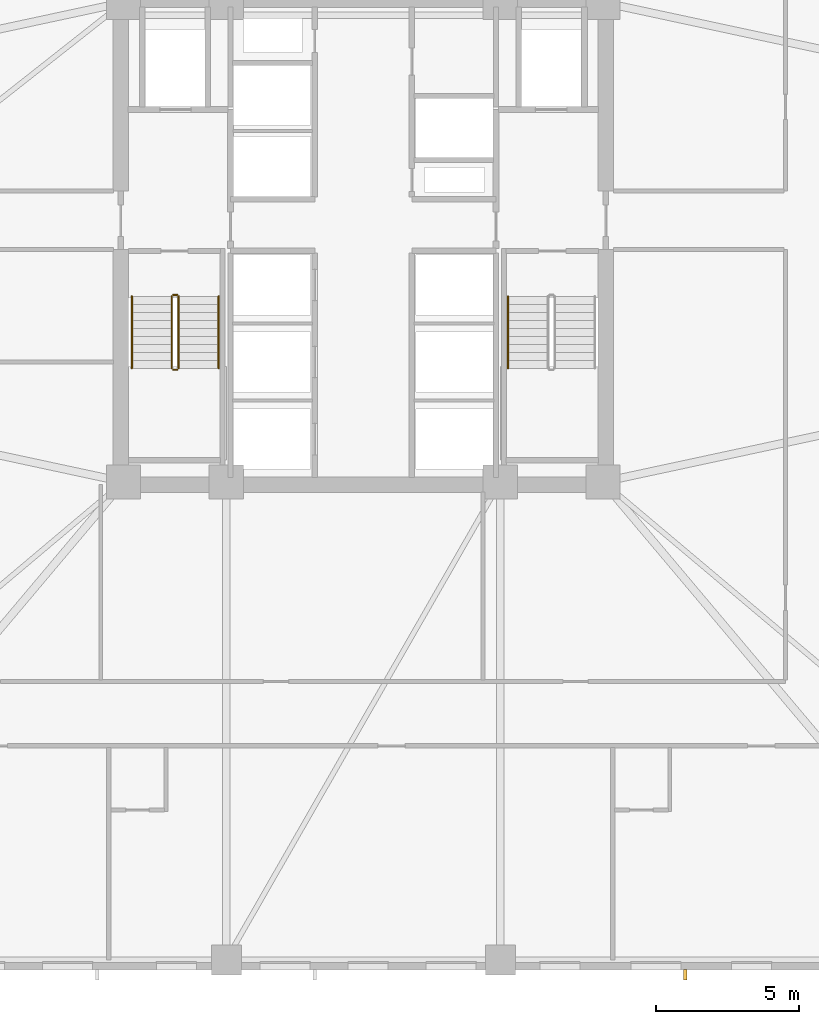
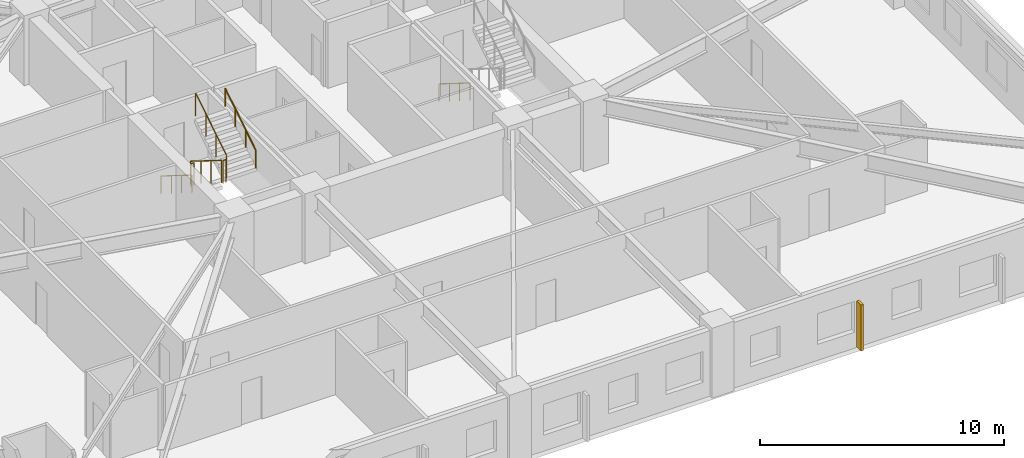
# One storey, part 8 of 11: 7 railings, 1 shading device.
"""IFC4 building model written with IfcOpenShell, lengths in metres."""

from ifc_helpers import new_model, si_unit, direction, frame, origin, origin_2d, place, context, subcontext, project, spatial, rectangle, circle, extrude, material, type_object, element, save


model = new_model("IFC4")

# Units and contexts
model_context = context("Model", 3, precision=1e-05, world=origin(), true_north=direction((0.0, 1.0)))
body_context = subcontext(model_context, "Body", "Model", "MODEL_VIEW")
ifc_project = project(units=[si_unit("LENGTHUNIT", "METRE"), si_unit("AREAUNIT", "SQUARE_METRE"), si_unit("VOLUMEUNIT", "CUBIC_METRE"), si_unit("PLANEANGLEUNIT", "RADIAN"), si_unit("MASSUNIT", "GRAM", prefix="KILO")], contexts=[model_context])

# Site, building, storey
site_placement = place(None, origin())
site = spatial("IfcSite", under=ifc_project, at=site_placement, CompositionType="ELEMENT")
building_placement = place(site_placement, origin())
building = spatial("IfcBuilding", under=site, at=building_placement, Name="Cairnveth Concourse Tower", CompositionType="ELEMENT")
storey_placement = place(building_placement, frame((0.0, 0.0, 72.5)))
storey = spatial("IfcBuildingStorey", under=building, at=storey_placement, Name="L19", CompositionType="ELEMENT", Elevation=72.5)

# Shading device
ifc_material_1 = material(Name="Architectural Bronze Anodised Aluminium 6063-T6", Category="aluminium")
shading_device_type = type_object("IfcShadingDeviceType", Name="GOTHIC BRONZE VERTICAL LANCET FIN", PredefinedType="USERDEFINED", material=ifc_material_1)
shading_device_placement = place(storey_placement, frame((63.284423828125, 13.324951171875, 0.02978515625), z_axis=(0.0, 0.0, 1.0), x_axis=(1.0, 0.0, 0.0)))
element("IfcShadingDevice", 1, at=shading_device_placement, inside=storey, type_object=shading_device_type, Name="Gothic Bronze Vertical Fin L19-3-3", ObjectType="VERTICAL FIN", PredefinedType="USERDEFINED", context=body_context, shape_type="SweptSolid", body=[
    extrude(rectangle(XDim=0.1201171875, YDim=0.360107421875, at=origin_2d()), origin(), (0.0, 0.0, 1.0), 2.303955078125),
])

# Railings
ifc_material_2 = material(Name="Steel Grade 350", Category="steel")
railing_type_1 = type_object("IfcRailingType", Name="STAIR GUARDRAIL 1150", PredefinedType="GUARDRAIL", material=ifc_material_2)
railing_1_placement = place(storey_placement, frame((45.2900390625, 37.10009765625, 0.175048828125)))
element("IfcRailing", 2, at=railing_1_placement, inside=storey, type_object=railing_type_1, Name="L19 ST-1 stair guard 1", PredefinedType="GUARDRAIL", context=body_context, shape_type="SweptSolid", body=[
    extrude(circle(Radius=0.02392578125, at=origin_2d()), frame((0.0, 0.0, 1.1259765625), z_axis=(0.0, -0.848007534815, 0.529984170421), x_axis=(1.0, 0.0, 0.0)), (0.0, 0.0, 1.0), 2.9716796875),
    extrude(circle(Radius=0.02099609375, at=origin_2d()), origin(), (0.0, 0.0, 1.0), 1.101806640625),
    extrude(circle(Radius=0.02099609375, at=origin_2d()), frame((0.0, -0.840087890625, 0.52490234375)), (0.0, 0.0, 1.0), 1.101806640625),
    extrude(circle(Radius=0.02099609375, at=origin_2d()), frame((0.0, -1.679931640625, 1.050048828125)), (0.0, 0.0, 1.0), 1.101806640625),
    extrude(circle(Radius=0.02099609375, at=origin_2d()), frame((0.0, -2.52001953125, 1.574951171875)), (0.0, 0.0, 1.0), 1.101806640625),
])
railing_2_placement = place(storey_placement, frame((45.340087890625, 34.530029296875, 1.75)))
element("IfcRailing", 3, at=railing_2_placement, inside=storey, type_object=railing_type_1, Name="L19 ST-1 stair guard 2", PredefinedType="GUARDRAIL", context=body_context, shape_type="SweptSolid", body=[
    extrude(circle(Radius=0.02392578125, at=origin_2d()), frame((0.0, 0.0, 1.1259765625), z_axis=(1.0, 0.0, 0.0), x_axis=(0.0, 1.0, 0.0)), (0.0, 0.0, 1.0), 0.139892578125),
    extrude(circle(Radius=0.02099609375, at=origin_2d()), origin(), (0.0, 0.0, 1.0), 1.101806640625),
    extrude(circle(Radius=0.02099609375, at=origin_2d()), frame((0.139892578125, 0.0, 0.0)), (0.0, 0.0, 1.0), 1.101806640625),
])
railing_3_placement = place(storey_placement, frame((45.530029296875, 34.580078125, 1.925048828125)))
element("IfcRailing", 4, at=railing_3_placement, inside=storey, type_object=railing_type_1, Name="L19 ST-1 stair guard 3", PredefinedType="GUARDRAIL", context=body_context, shape_type="SweptSolid", body=[
    extrude(circle(Radius=0.02392578125, at=origin_2d()), frame((0.0, 0.0, 1.1259765625), z_axis=(0.0, 0.848007534815, 0.529984170421), x_axis=(-1.0, 0.0, 0.0)), (0.0, 0.0, 1.0), 2.9716796875),
    extrude(circle(Radius=0.02099609375, at=origin_2d()), origin(), (0.0, 0.0, 1.0), 1.101806640625),
    extrude(circle(Radius=0.02099609375, at=origin_2d()), frame((0.0, 0.840087890625, 0.52490234375)), (0.0, 0.0, 1.0), 1.101806640625),
    extrude(circle(Radius=0.02099609375, at=origin_2d()), frame((0.0, 1.679931640625, 1.050048828125)), (0.0, 0.0, 1.0), 1.101806640625),
    extrude(circle(Radius=0.02099609375, at=origin_2d()), frame((0.0, 2.52001953125, 1.574951171875)), (0.0, 0.0, 1.0), 1.101806640625),
])
railing_4_placement = place(storey_placement, frame((45.340087890625, 37.14990234375, 0.0)))
element("IfcRailing", 5, at=railing_4_placement, inside=storey, type_object=railing_type_1, Name="L19 ST-1 stair guard 4", PredefinedType="GUARDRAIL", context=body_context, shape_type="SweptSolid", body=[
    extrude(circle(Radius=0.02392578125, at=origin_2d()), frame((0.0, 0.0, 1.1259765625), z_axis=(1.0, 0.0, 0.0), x_axis=(0.0, 1.0, 0.0)), (0.0, 0.0, 1.0), 0.139892578125),
    extrude(circle(Radius=0.02099609375, at=origin_2d()), origin(), (0.0, 0.0, 1.0), 1.101806640625),
    extrude(circle(Radius=0.02099609375, at=origin_2d()), frame((0.139892578125, 0.0, 0.0)), (0.0, 0.0, 1.0), 1.101806640625),
])
railing_type_2 = type_object("IfcRailingType", Name="STAIR WALL HANDRAIL 900", PredefinedType="HANDRAIL", material=ifc_material_2)
railing_5_placement = place(storey_placement, frame((43.889892578125, 37.10009765625, 0.175048828125)))
element("IfcRailing", 6, at=railing_5_placement, inside=storey, type_object=railing_type_2, Name="L19 ST-1 stair handrail 1", PredefinedType="HANDRAIL", context=body_context, shape_type="SweptSolid", body=[
    extrude(circle(Radius=0.02392578125, at=origin_2d()), frame((0.0, 0.0, 0.8759765625), z_axis=(0.0, -0.848007534815, 0.529984170421), x_axis=(1.0, 0.0, 0.0)), (0.0, 0.0, 1.0), 2.9716796875),
    extrude(circle(Radius=0.02099609375, at=origin_2d()), origin(), (0.0, 0.0, 1.0), 0.851806640625),
    extrude(circle(Radius=0.02099609375, at=origin_2d()), frame((0.0, -0.840087890625, 0.52490234375)), (0.0, 0.0, 1.0), 0.851806640625),
    extrude(circle(Radius=0.02099609375, at=origin_2d()), frame((0.0, -1.679931640625, 1.050048828125)), (0.0, 0.0, 1.0), 0.851806640625),
    extrude(circle(Radius=0.02099609375, at=origin_2d()), frame((0.0, -2.52001953125, 1.574951171875)), (0.0, 0.0, 1.0), 0.851806640625),
])
railing_6_placement = place(storey_placement, frame((46.929931640625, 34.580078125, 1.925048828125)))
element("IfcRailing", 7, at=railing_6_placement, inside=storey, type_object=railing_type_2, Name="L19 ST-1 stair handrail 2", PredefinedType="HANDRAIL", context=body_context, shape_type="SweptSolid", body=[
    extrude(circle(Radius=0.02392578125, at=origin_2d()), frame((0.0, 0.0, 0.8759765625), z_axis=(0.0, 0.848007534815, 0.529984170421), x_axis=(-1.0, 0.0, 0.0)), (0.0, 0.0, 1.0), 2.9716796875),
    extrude(circle(Radius=0.02099609375, at=origin_2d()), origin(), (0.0, 0.0, 1.0), 0.851806640625),
    extrude(circle(Radius=0.02099609375, at=origin_2d()), frame((0.0, 0.840087890625, 0.52490234375)), (0.0, 0.0, 1.0), 0.851806640625),
    extrude(circle(Radius=0.02099609375, at=origin_2d()), frame((0.0, 1.679931640625, 1.050048828125)), (0.0, 0.0, 1.0), 0.851806640625),
    extrude(circle(Radius=0.02099609375, at=origin_2d()), frame((0.0, 2.52001953125, 1.574951171875)), (0.0, 0.0, 1.0), 0.851806640625),
])
railing_7_placement = place(storey_placement, frame((57.070068359375, 37.10009765625, 0.175048828125)))
element("IfcRailing", 8, at=railing_7_placement, inside=storey, type_object=railing_type_2, Name="L19 ST-2 stair handrail 1", PredefinedType="HANDRAIL", context=body_context, shape_type="SweptSolid", body=[
    extrude(circle(Radius=0.02392578125, at=origin_2d()), frame((0.0, 0.0, 0.8759765625), z_axis=(0.0, -0.848007534815, 0.529984170421), x_axis=(1.0, 0.0, 0.0)), (0.0, 0.0, 1.0), 2.9716796875),
    extrude(circle(Radius=0.02099609375, at=origin_2d()), origin(), (0.0, 0.0, 1.0), 0.851806640625),
    extrude(circle(Radius=0.02099609375, at=origin_2d()), frame((0.0, -0.840087890625, 0.52490234375)), (0.0, 0.0, 1.0), 0.851806640625),
    extrude(circle(Radius=0.02099609375, at=origin_2d()), frame((0.0, -1.679931640625, 1.050048828125)), (0.0, 0.0, 1.0), 0.851806640625),
    extrude(circle(Radius=0.02099609375, at=origin_2d()), frame((0.0, -2.52001953125, 1.574951171875)), (0.0, 0.0, 1.0), 0.851806640625),
])

save(model, "model.ifc")
